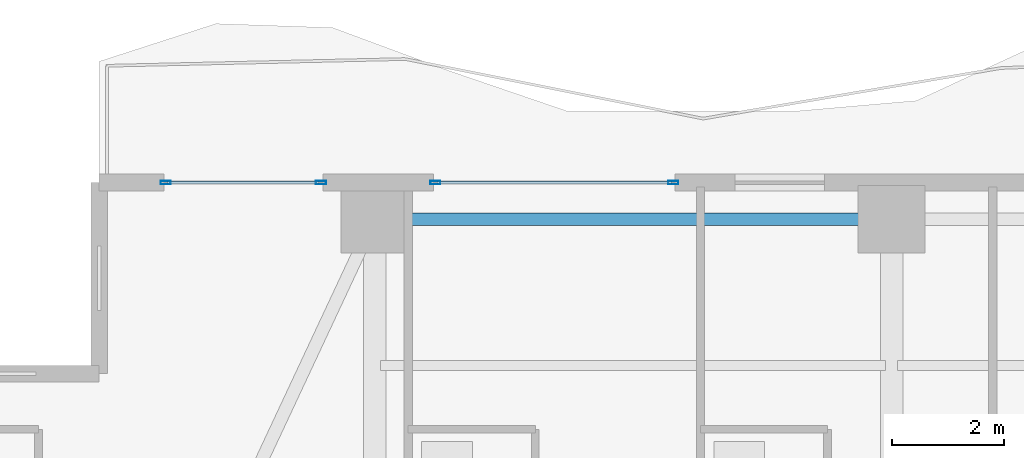
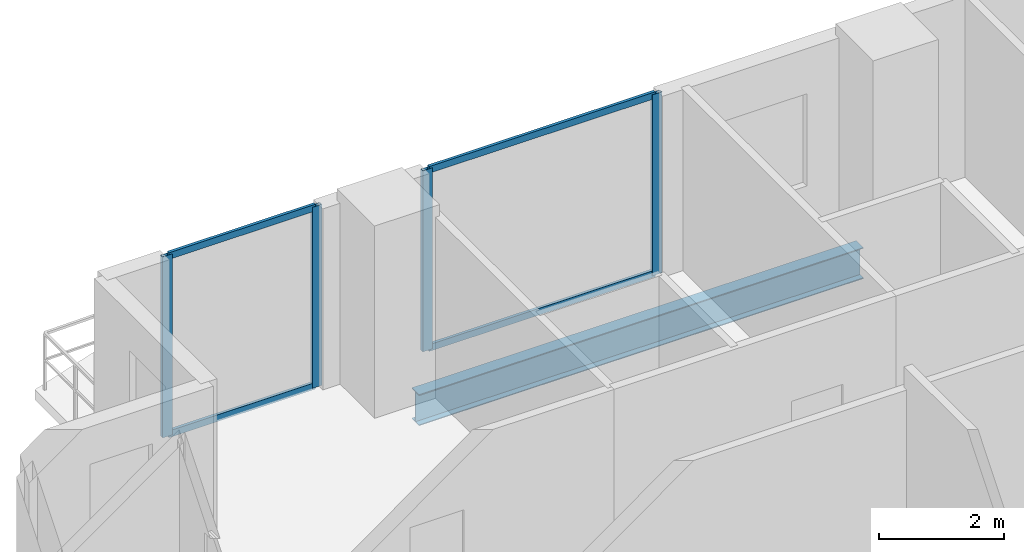
# One storey, part 19 of 33: 8 members, 1 beam, 2 elements without a shape of their own.
"""IFC4 building model written with IfcOpenShell, lengths in metres."""

from ifc_helpers import new_model, si_unit, direction, frame, origin, origin_2d, place, context, subcontext, project, spatial, hollow_rectangle, i_section, extrude, material, layer, layer_set, material_profile, profile_set, type_object, element, aggregate, save


model = new_model("IFC4")

# Units and contexts
model_context = context("Model", 3, precision=1e-05, world=origin(), true_north=direction((0.0, 1.0)))
body_context = subcontext(model_context, "Body", "Model", "MODEL_VIEW")
ifc_project = project(units=[si_unit("LENGTHUNIT", "METRE"), si_unit("AREAUNIT", "SQUARE_METRE"), si_unit("VOLUMEUNIT", "CUBIC_METRE"), si_unit("PLANEANGLEUNIT", "RADIAN"), si_unit("MASSUNIT", "GRAM", prefix="KILO")], contexts=[model_context])

# Site, building, storey
site_placement = place(None, origin())
site = spatial("IfcSite", under=ifc_project, at=site_placement, CompositionType="ELEMENT")
building_placement = place(site_placement, origin())
building = spatial("IfcBuilding", under=site, at=building_placement, Name="Zuhayl Quay Hotel", CompositionType="ELEMENT")
storey_placement = place(building_placement, frame((0.0, 0.0, 207.39990234375)))
storey = spatial("IfcBuildingStorey", under=building, at=storey_placement, Name="L52", CompositionType="ELEMENT", Elevation=207.39990234375)

# Beam
ifc_material_1 = material(Name="Steel ASTM A992 Grade 50", Category="steel")
ifc_material_profile_1 = material_profile(ifc_material_1, i_section(OverallWidth=0.22802734375, OverallDepth=0.60693359375, WebThickness=0.01123046875, FlangeThickness=0.017333984375, at=origin_2d()), Name="W24X76")
ifc_profile_set_1 = profile_set([ifc_material_profile_1], Name="Steel ASTM A992 Grade 50")
beam_type = type_object("IfcBeamType", Name="BM_B3_W24X76", PredefinedType="BEAM", material=ifc_profile_set_1)
beam_placement = place(storey_placement, frame((-5.10009765625, 32.949951171875, -0.5234375), z_axis=(-1.0, 0.0, 0.0), x_axis=(0.0, -1.0, 0.0)))
element("IfcBeam", 1, at=beam_placement, inside=storey, type_object=beam_type, Name="L52 Floor Beam RG_L52_09", PredefinedType="BEAM", context=body_context, shape_type="SweptSolid", body=[
    extrude(i_section(OverallWidth=0.22802734375, OverallDepth=0.60693359375, WebThickness=0.01123046875, FlangeThickness=0.017333984375, at=origin_2d()), origin(), (0.0, 0.0, 1.0), 8.199951171875),
])

# Curtain wall, members
ifc_material_2 = material(Name="Anodised Aluminium 6063-T6", Category="aluminium")
ifc_layer = layer(ifc_material_2, 0.175048828125, Name="Anodised Aluminium 6063-T6", Category="aluminium")
ifc_layer_set = layer_set([ifc_layer], Name="Anodised Aluminium 6063-T6")
curtain_wall_type = type_object("IfcCurtainWallType", Name="CW_SYS_Z3", PredefinedType="USERDEFINED", material=ifc_layer_set)
curtain_wall_1_placement = place(storey_placement, origin())
curtain_wall_1 = element("IfcCurtainWall", 2, at=curtain_wall_1_placement, inside=storey, type_object=curtain_wall_type, Name="L52 Curtain Wall ENV_L52_N_CW1", ObjectType="UNITISED CURTAIN WALL", PredefinedType="USERDEFINED")
ifc_material_3 = material(Name="Black-anodised aluminium 6063-T6", Category="aluminium")
ifc_material_profile_2 = material_profile(ifc_material_3, hollow_rectangle(XDim=0.06494140625, YDim=0.179931640625, WallThickness=0.00341796875, at=origin_2d()), Name="ALU180X65")
ifc_profile_set_2 = profile_set([ifc_material_profile_2], Name="Black-anodised aluminium 6063-T6")
member_type_1 = type_object("IfcMemberType", Name="MB_CW_MUL_180", PredefinedType="MULLION", material=ifc_profile_set_2)
member_1_placement = place(storey_placement, frame((-17.517578125, 33.60009765625, 0.0), z_axis=(0.0, 0.0, 1.0), x_axis=(0.0, 1.0, 0.0)))
member_1 = element("IfcMember", 3, at=member_1_placement, type_object=member_type_1, Name="CW-Z3 mullion 1", PredefinedType="MULLION", context=body_context, shape_type="SweptSolid", body=[
    extrude(hollow_rectangle(XDim=0.06494140625, YDim=0.179931640625, WallThickness=0.00341796875, at=origin_2d()), origin(), (0.0, 0.0, 1.0), 3.530029296875),
])
member_2_placement = place(storey_placement, frame((-14.75244140625, 33.60009765625, 0.0), z_axis=(0.0, 0.0, 1.0), x_axis=(0.0, 1.0, 0.0)))
member_2 = element("IfcMember", 4, at=member_2_placement, type_object=member_type_1, Name="CW-Z3 mullion 2", PredefinedType="MULLION", context=body_context, shape_type="SweptSolid", body=[
    extrude(hollow_rectangle(XDim=0.06494140625, YDim=0.179931640625, WallThickness=0.00341796875, at=origin_2d()), origin(), (0.0, 0.0, 1.0), 3.530029296875),
])

curtain_wall_2_placement = place(storey_placement, origin())
curtain_wall_2 = element("IfcCurtainWall", 5, at=curtain_wall_2_placement, inside=storey, type_object=curtain_wall_type, Name="L52 Curtain Wall ENV_L52_N_CW2", ObjectType="UNITISED CURTAIN WALL", PredefinedType="USERDEFINED")
member_3_placement = place(storey_placement, frame((-12.717529296875, 33.60009765625, 0.0), z_axis=(0.0, 0.0, 1.0), x_axis=(0.0, 1.0, 0.0)))
member_3 = element("IfcMember", 6, at=member_3_placement, type_object=member_type_1, Name="CW-Z3 mullion 1", PredefinedType="MULLION", context=body_context, shape_type="SweptSolid", body=[
    extrude(hollow_rectangle(XDim=0.06494140625, YDim=0.179931640625, WallThickness=0.00341796875, at=origin_2d()), origin(), (0.0, 0.0, 1.0), 3.530029296875),
])
member_4_placement = place(storey_placement, frame((-8.482421875, 33.60009765625, 0.0), z_axis=(0.0, 0.0, 1.0), x_axis=(0.0, 1.0, 0.0)))
member_4 = element("IfcMember", 7, at=member_4_placement, type_object=member_type_1, Name="CW-Z3 mullion 2", PredefinedType="MULLION", context=body_context, shape_type="SweptSolid", body=[
    extrude(hollow_rectangle(XDim=0.06494140625, YDim=0.179931640625, WallThickness=0.00341796875, at=origin_2d()), origin(), (0.0, 0.0, 1.0), 3.530029296875),
])

# Member
ifc_material_profile_3 = material_profile(ifc_material_3, hollow_rectangle(XDim=0.054931640625, YDim=0.1298828125, WallThickness=0.0029296875, at=origin_2d()), Name="ALU130X55")
ifc_profile_set_3 = profile_set([ifc_material_profile_3], Name="Black-anodised aluminium 6063-T6")
member_type_2 = type_object("IfcMemberType", Name="MB_CW_TRN_130", PredefinedType="USERDEFINED", material=ifc_profile_set_3)
member_5_placement = place(storey_placement, frame((-17.485107421875, 33.60009765625, 0.027587890625), z_axis=(1.0, 0.0, 0.0), x_axis=(0.0, 1.0, 0.0)))
member_5 = element("IfcMember", 8, at=member_5_placement, type_object=member_type_2, Name="CW-Z3 transom 1.1", ObjectType="TRANSOM", PredefinedType="USERDEFINED", context=body_context, shape_type="SweptSolid", body=[
    extrude(hollow_rectangle(XDim=0.054931640625, YDim=0.1298828125, WallThickness=0.0029296875, at=origin_2d()), origin(), (0.0, 0.0, 1.0), 2.7001953125),
])

member_6_placement = place(storey_placement, frame((-17.485107421875, 33.60009765625, 3.502685546875), z_axis=(1.0, 0.0, 0.0), x_axis=(0.0, 1.0, 0.0)))
member_6 = element("IfcMember", 9, at=member_6_placement, type_object=member_type_2, Name="CW-Z3 transom 1.2", ObjectType="TRANSOM", PredefinedType="USERDEFINED", context=body_context, shape_type="SweptSolid", body=[
    extrude(hollow_rectangle(XDim=0.054931640625, YDim=0.1298828125, WallThickness=0.0029296875, at=origin_2d()), origin(), (0.0, 0.0, 1.0), 2.7001953125),
])

aggregate(curtain_wall_1, [member_1, member_2, member_5, member_6])

member_7_placement = place(storey_placement, frame((-12.68505859375, 33.60009765625, 0.027587890625), z_axis=(1.0, 0.0, 0.0), x_axis=(0.0, 1.0, 0.0)))
member_7 = element("IfcMember", 10, at=member_7_placement, type_object=member_type_2, Name="CW-Z3 transom 1.1", ObjectType="TRANSOM", PredefinedType="USERDEFINED", context=body_context, shape_type="SweptSolid", body=[
    extrude(hollow_rectangle(XDim=0.054931640625, YDim=0.1298828125, WallThickness=0.0029296875, at=origin_2d()), origin(), (0.0, 0.0, 1.0), 4.170166015625),
])

member_8_placement = place(storey_placement, frame((-12.68505859375, 33.60009765625, 3.502685546875), z_axis=(1.0, 0.0, 0.0), x_axis=(0.0, 1.0, 0.0)))
member_8 = element("IfcMember", 11, at=member_8_placement, type_object=member_type_2, Name="CW-Z3 transom 1.2", ObjectType="TRANSOM", PredefinedType="USERDEFINED", context=body_context, shape_type="SweptSolid", body=[
    extrude(hollow_rectangle(XDim=0.054931640625, YDim=0.1298828125, WallThickness=0.0029296875, at=origin_2d()), origin(), (0.0, 0.0, 1.0), 4.170166015625),
])

aggregate(curtain_wall_2, [member_3, member_4, member_7, member_8])

save(model, "model.ifc")
